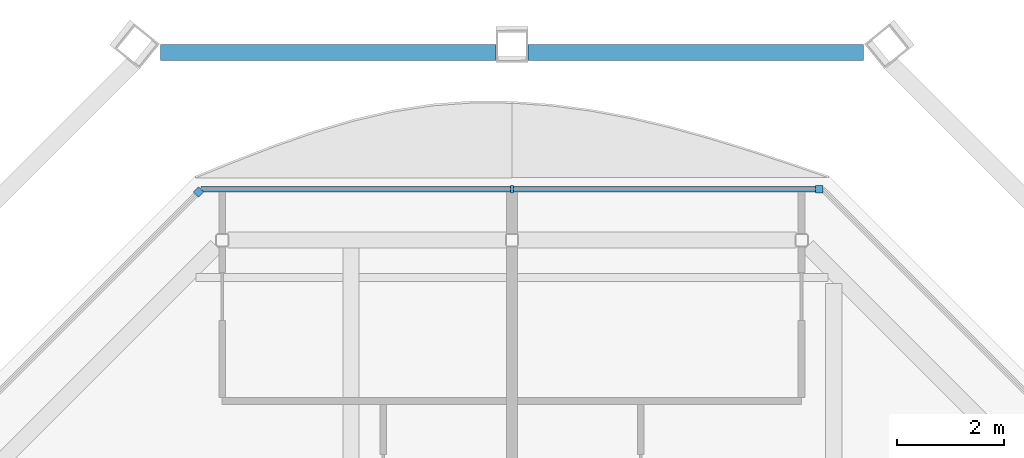
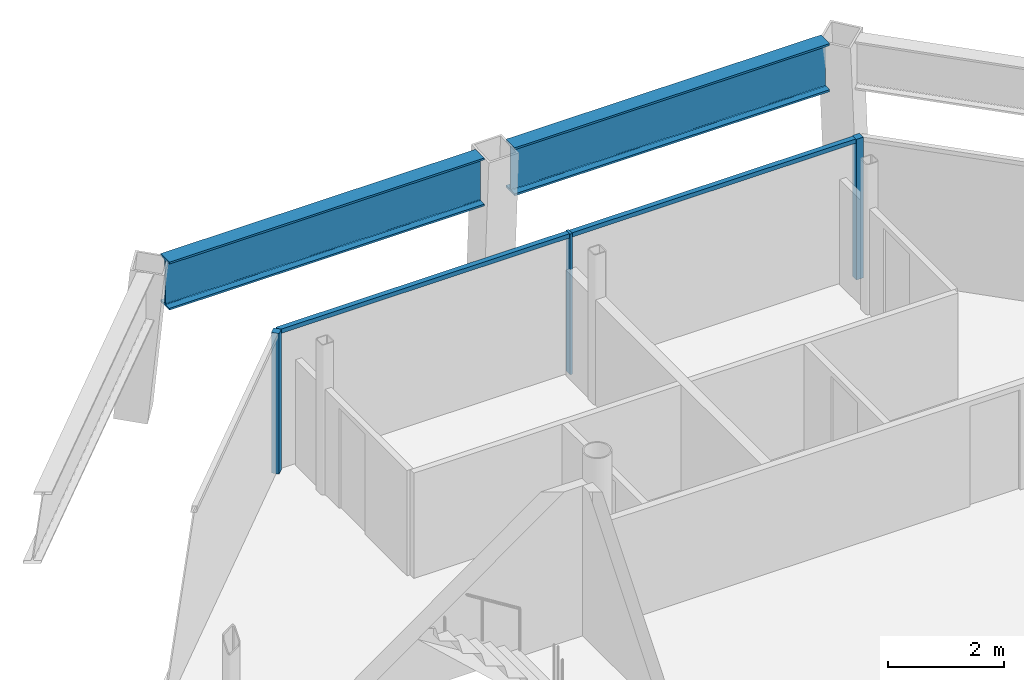
# One storey, part 8 of 14: 5 members, 2 beams, 2 elements without a shape of their own.
"""IFC4 building model written with IfcOpenShell, lengths in metres."""

from ifc_helpers import new_model, si_unit, direction, frame, origin, origin_2d, place, context, subcontext, project, spatial, rectangle, i_section, extrude, material, material_profile, profile_set, type_object, element, aggregate, save


model = new_model("IFC4")

# Units and contexts
model_context = context("Model", 3, precision=1e-05, world=origin(), true_north=direction((0.0, 1.0)))
body_context = subcontext(model_context, "Body", "Model", "MODEL_VIEW")
ifc_project = project(units=[si_unit("LENGTHUNIT", "METRE"), si_unit("AREAUNIT", "SQUARE_METRE"), si_unit("VOLUMEUNIT", "CUBIC_METRE"), si_unit("PLANEANGLEUNIT", "RADIAN"), si_unit("MASSUNIT", "GRAM", prefix="KILO")], contexts=[model_context])

# Site, building, storey
site_placement = place(None, origin())
site = spatial("IfcSite", under=ifc_project, at=site_placement, CompositionType="ELEMENT")
building_placement = place(site_placement, origin())
building = spatial("IfcBuilding", under=site, at=building_placement, Name="Tskaro Facet Tower", CompositionType="ELEMENT")
storey_placement = place(building_placement, frame((0.0, 0.0, 294.14990234375)))
storey = spatial("IfcBuildingStorey", under=building, at=storey_placement, Name="L79", CompositionType="ELEMENT", Elevation=294.14990234375)

# Curtain wall, member
ifc_material_1 = material(Name="Bronze anodised aluminium 6063-T6", Category="aluminium")
curtain_wall_type = type_object("IfcCurtainWallType", Name="Bronze residence curtain wall (FW3)", PredefinedType="NOTDEFINED", material=ifc_material_1)
curtain_wall_1_placement = place(storey_placement, origin())
curtain_wall_1 = element("IfcCurtainWall", 1, at=curtain_wall_1_placement, inside=storey, type_object=curtain_wall_type, Name="FW3 north facet L79", PredefinedType="NOTDEFINED")
ifc_material_profile_1 = material_profile(ifc_material_1, rectangle(XDim=0.139892578125, YDim=0.139892578125, at=origin_2d()), Name="Corner post 140x140")
ifc_profile_set_1 = profile_set([ifc_material_profile_1], Name="Bronze anodised aluminium 6063-T6")
member_type_1 = type_object("IfcMemberType", Name="FW3 bronze corner post 140x140", PredefinedType="MULLION", material=ifc_profile_set_1)
member_1_placement = place(storey_placement, frame((8.72607421875, 15.14990234375, 0.0), z_axis=(0.0, 0.0, 1.0), x_axis=(-1.0, 0.0, 0.0)))
member_1 = element("IfcMember", 2, at=member_1_placement, type_object=member_type_1, Name="FW3 north corner post", PredefinedType="MULLION", context=body_context, shape_type="SweptSolid", body=[
    extrude(rectangle(XDim=0.139892578125, YDim=0.139892578125, at=origin_2d()), origin(), (0.0, 0.0, 1.0), 2.9501953125),
])

curtain_wall_2_placement = place(storey_placement, origin())
curtain_wall_2 = element("IfcCurtainWall", 3, at=curtain_wall_2_placement, inside=storey, type_object=curtain_wall_type, Name="FW3 north-west facet L79", PredefinedType="NOTDEFINED")
member_2_placement = place(storey_placement, frame((-2.845458984375, 15.1005859375, 0.0), z_axis=(0.0, 0.0, 1.0), x_axis=(-0.707106781187, -0.707106781187, 0.0)))
member_2 = element("IfcMember", 4, at=member_2_placement, type_object=member_type_1, Name="FW3 north-west corner post", PredefinedType="MULLION", context=body_context, shape_type="SweptSolid", body=[
    extrude(rectangle(XDim=0.139892578125, YDim=0.139892578125, at=origin_2d()), origin(), (0.0, 0.0, 1.0), 2.9501953125),
])
aggregate(curtain_wall_2, [member_2])

# Member
ifc_material_profile_2 = material_profile(ifc_material_1, rectangle(XDim=0.050048828125, YDim=0.139892578125, at=origin_2d()), Name="Mullion 50x140")
ifc_profile_set_2 = profile_set([ifc_material_profile_2], Name="Bronze anodised aluminium 6063-T6")
member_type_2 = type_object("IfcMemberType", Name="FW3 bronze mullion 50x140", PredefinedType="MULLION", material=ifc_profile_set_2)
member_3_placement = place(storey_placement, frame((3.0, 15.14990234375, 0.0), z_axis=(0.0, 0.0, 1.0), x_axis=(-1.0, 0.0, 0.0)))
member_3 = element("IfcMember", 5, at=member_3_placement, type_object=member_type_2, Name="FW3 north mullion 1", PredefinedType="MULLION", context=body_context, shape_type="SweptSolid", body=[
    extrude(rectangle(XDim=0.050048828125, YDim=0.139892578125, at=origin_2d()), origin(), (0.0, 0.0, 1.0), 2.9501953125),
])

ifc_material_profile_3 = material_profile(ifc_material_1, rectangle(XDim=0.10009765625, YDim=0.090087890625, at=origin_2d()), Name="Transom 100x90")
ifc_profile_set_3 = profile_set([ifc_material_profile_3], Name="Bronze anodised aluminium 6063-T6")
member_type_3 = type_object("IfcMemberType", Name="FW3 bronze transom 100x90", PredefinedType="USERDEFINED", material=ifc_profile_set_3)
member_4_placement = place(storey_placement, frame((8.656005859375, 15.14990234375, 2.905029296875), z_axis=(-1.0, 0.0, 0.0), x_axis=(0.0, -1.0, 0.0)))
member_4 = element("IfcMember", 6, at=member_4_placement, type_object=member_type_3, Name="FW3 north transom 1.1", ObjectType="TRANSOM", PredefinedType="USERDEFINED", context=body_context, shape_type="SweptSolid", body=[
    extrude(rectangle(XDim=0.10009765625, YDim=0.090087890625, at=origin_2d()), origin(), (0.0, 0.0, 1.0), 5.631103515625),
])

member_5_placement = place(storey_placement, frame((2.97509765625, 15.14990234375, 2.905029296875), z_axis=(-1.0, 0.0, 0.0), x_axis=(0.0, -1.0, 0.0)))
member_5 = element("IfcMember", 7, at=member_5_placement, type_object=member_type_3, Name="FW3 north transom 2.1", ObjectType="TRANSOM", PredefinedType="USERDEFINED", context=body_context, shape_type="SweptSolid", body=[
    extrude(rectangle(XDim=0.10009765625, YDim=0.090087890625, at=origin_2d()), origin(), (0.0, 0.0, 1.0), 5.77099609375),
])

aggregate(curtain_wall_1, [member_1, member_3, member_4, member_5])

# Beams
ifc_material_2 = material(Name="Steel S355J2", Category="steel")
ifc_material_profile_4 = material_profile(ifc_material_2, i_section(OverallWidth=0.302001953125, OverallDepth=1.008056640625, WebThickness=0.02099609375, FlangeThickness=0.0400390625, FilletRadius=0.030029296875, at=origin_2d()), Name="HE 1000 M")
ifc_profile_set_4 = profile_set([ifc_material_profile_4], Name="Steel S355J2")
beam_type = type_object("IfcBeamType", Name="HE 1000 M crown ring beam", PredefinedType="BEAM", material=ifc_profile_set_4)
for number, where, z_axis, x_axis, name in (
    (8, (9.553955078125, 17.701904296875, 2.64599609375), (-1.0, 0.0, 0.0), (0.0, -1.0, 0.0), "HE 1000 M CR07-6"),
    (9, (2.699951171875, 17.701904296875, 2.64599609375), (-1.0, 0.0, 0.0), (0.0, -1.0, 0.0), "HE 1000 M CR08-6"),
):
    element("IfcBeam", number, at=place(storey_placement, frame(where, z_axis=z_axis, x_axis=x_axis)), inside=storey, type_object=beam_type, Name=name, PredefinedType="BEAM", context=body_context, shape_type="SweptSolid", body=[
        extrude(i_section(OverallWidth=0.302001953125, OverallDepth=1.008056640625, WebThickness=0.02099609375, FlangeThickness=0.0400390625, FilletRadius=0.030029296875, at=origin_2d()), origin(), (0.0, 0.0, 1.0), 6.25390625),
    ])

save(model, "model.ifc")
